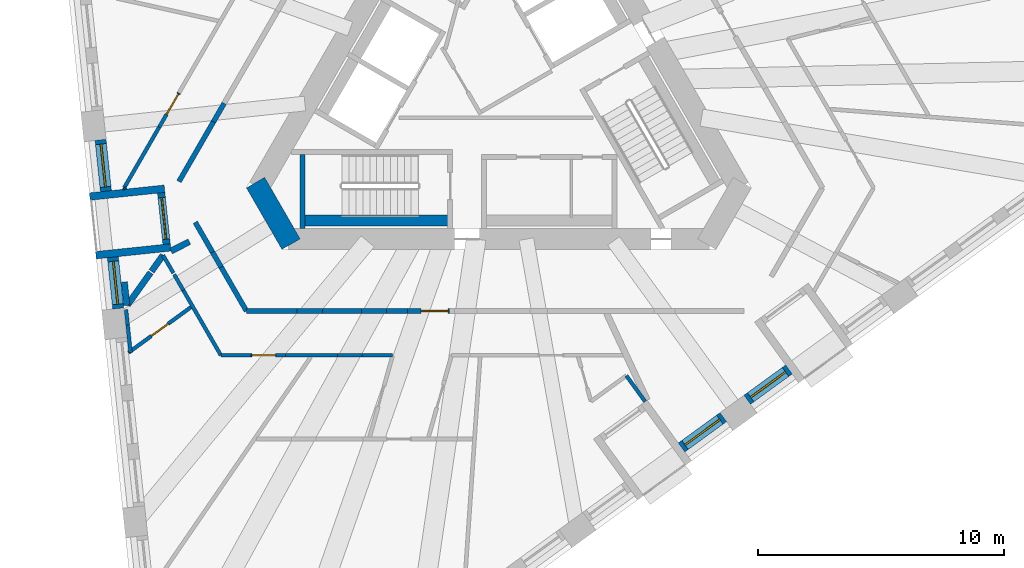
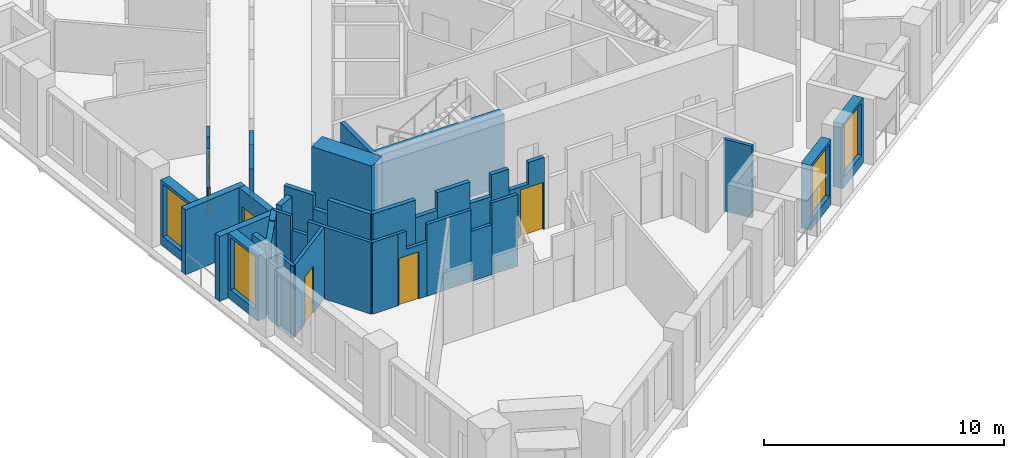
# One storey, part 3 of 14: 40 walls, 5 doors, 4 windows, 9 openings.
"""IFC4 building model written with IfcOpenShell, lengths in metres."""

from ifc_helpers import new_model, si_unit, direction, frame, frame_2d, origin, place, context, subcontext, project, spatial, polyline, rectangle, outline, extrude, material, layer, layer_set, type_object, element, fill, save


model = new_model("IFC4")

# Units and contexts
model_context = context("Model", 3, precision=1e-05, world=origin(), true_north=direction((0.0, 1.0)))
body_context = subcontext(model_context, "Body", "Model", "MODEL_VIEW")
ifc_project = project(units=[si_unit("LENGTHUNIT", "METRE"), si_unit("AREAUNIT", "SQUARE_METRE"), si_unit("VOLUMEUNIT", "CUBIC_METRE"), si_unit("PLANEANGLEUNIT", "RADIAN"), si_unit("MASSUNIT", "GRAM", prefix="KILO")], contexts=[model_context])

# Site, building, storey
site_placement = place(None, origin())
site = spatial("IfcSite", under=ifc_project, at=site_placement, CompositionType="ELEMENT")
building_placement = place(site_placement, origin())
building = spatial("IfcBuilding", under=site, at=building_placement, Name="Tramontana Tower", CompositionType="ELEMENT")
storey_placement = place(building_placement, frame((0.0, 0.0, 182.800048828125)))
storey = spatial("IfcBuildingStorey", under=building, at=storey_placement, Name="L42", CompositionType="ELEMENT", Elevation=182.800048828125)

# Wall
ifc_material_1 = material(Name="Concrete 70 MPa", Category="concrete")
ifc_layer_1 = layer(ifc_material_1, 0.85009765625)
ifc_layer_set_1 = layer_set([ifc_layer_1], Name="Core wall 850 70 MPa")
wall_type_1 = type_object("IfcWallType", Name="Core wall 850 70 MPa", PredefinedType="SHEAR", material=ifc_layer_set_1)
wall_1_placement = place(storey_placement, frame((-9.8798828125, -4.03759765625, 0.0), z_axis=(0.0, 0.0, 1.0), x_axis=(0.499995765644, -0.866027848477, 0.0)))
element("IfcWall", 1, at=wall_1_placement, inside=storey, type_object=wall_type_1, Name="Core wall C2 L42", PredefinedType="SHEAR", context=body_context, shape_type="SweptSolid", body=[
    extrude(rectangle(XDim=2.88671875, YDim=0.85009765625, at=frame_2d((1.443359375, 0.0))), origin(), (0.0, 0.0, 1.0), 4.0),
])

# Wall, opening, door
ifc_material_2 = material(Name="Blockwork", Category="masonry")
ifc_layer_2 = layer(ifc_material_2, 0.199951171875)
ifc_layer_set_2 = layer_set([ifc_layer_2], Name="ENTRY WALL 200")
wall_type_2 = type_object("IfcWallType", Name="ENTRY WALL 200", PredefinedType="SOLIDWALL", material=ifc_layer_set_2)
wall_2_placement = place(storey_placement, frame((-2.009033203125, -9.25, 0.0), z_axis=(0.0, 0.0, 1.0), x_axis=(-1.0, 0.0, 0.0)))
wall_2 = element("IfcWall", 2, at=wall_2_placement, inside=storey, type_object=wall_type_2, Name="Wall v41-ew2-7", PredefinedType="SOLIDWALL", context=body_context, shape_type="SweptSolid", body=[
    extrude(outline(polyline([(0.0, 0.0), (1.7041015625, 0.0), (1.7041015625, 2.550048828125), (0.750732421875, 2.550048828125), (0.750732421875, 3.64990234375), (0.0, 3.64990234375), (0.0, 0.0)])), frame((0.0, 0.10009765625, 0.0), z_axis=(0.0, -1.0, 0.0), x_axis=(1.0, 0.0, 0.0)), (0.0, 0.0, 1.0), 0.199951171875),
])
opening_1_placement = place(wall_2_placement, frame((0.050048828125, 0.0, 0.0)))
opening_1 = element("IfcOpeningElement", 3, at=opening_1_placement, cuts=wall_2, Name="Opening B4B-25", PredefinedType="OPENING", context=body_context, shape_type="SweptSolid", body=[
    extrude(rectangle(XDim=1.10009765625, YDim=2.39990234375, at=frame_2d((0.550048828125, 1.199951171875))), frame((0.0, 0.10986328125, 0.0), z_axis=(0.0, -1.0, 0.0), x_axis=(1.0, 0.0, 0.0)), (0.0, 0.0, 1.0), 0.219970703125),
])
ifc_material_3 = material(Name="Painted timber", Category="wood")
door_type_1 = type_object("IfcDoorType", Name="DOOR ENTRY 1100", OperationType="SINGLE_SWING_LEFT", PredefinedType="DOOR", material=ifc_material_3)
door_1_placement = place(opening_1_placement, origin())
door_1 = element("IfcDoor", 4, at=door_1_placement, inside=storey, type_object=door_type_1, Name="Door B4B-25", OperationType="SINGLE_SWING_LEFT", OverallHeight=2.39990234375, OverallWidth=1.10009765625, PredefinedType="DOOR", context=body_context, shape_type="SweptSolid", body=[
    extrude(rectangle(XDim=1.10009765625, YDim=2.39990234375, at=frame_2d((0.550048828125, 1.199951171875))), frame((0.0, 0.02490234375, 0.0), z_axis=(0.0, -1.0, 0.0), x_axis=(1.0, 0.0, 0.0)), (0.0, 0.0, 1.0), 0.050048828125),
])
fill(opening_1, door_1)

# Walls
wall_3_placement = place(storey_placement, frame((-3.713134765625, -9.25, 0.0), z_axis=(0.0, 0.0, 1.0), x_axis=(-1.0, 0.0, 0.0)))
element("IfcWall", 5, at=wall_3_placement, inside=storey, type_object=wall_type_2, Name="Wall v41-ew2-8", PredefinedType="SOLIDWALL", context=body_context, shape_type="SweptSolid", body=[
    extrude(rectangle(XDim=0.84130859375, YDim=0.199951171875, at=frame_2d((0.420654296875, 0.0))), origin(), (0.0, 0.0, 1.0), 3.64990234375),
])
wall_4_placement = place(storey_placement, frame((-4.554443359375, -9.25, 0.0), z_axis=(0.0, 0.0, 1.0), x_axis=(-1.0, 0.0, 0.0)))
element("IfcWall", 6, at=wall_4_placement, inside=storey, type_object=wall_type_2, Name="Wall v41-ew2-9", PredefinedType="SOLIDWALL", context=body_context, shape_type="SweptSolid", body=[
    extrude(rectangle(XDim=1.026123046875, YDim=0.199951171875, at=frame_2d((0.51318359375, 0.0))), origin(), (0.0, 0.0, 1.0), 2.550048828125),
])
wall_5_placement = place(storey_placement, frame((-5.58056640625, -9.25, 0.0), z_axis=(0.0, 0.0, 1.0), x_axis=(-1.0, 0.0, 0.0)))
element("IfcWall", 7, at=wall_5_placement, inside=storey, type_object=wall_type_2, Name="Wall v41-ew2-10", PredefinedType="SOLIDWALL", context=body_context, shape_type="SweptSolid", body=[
    extrude(rectangle(XDim=1.57177734375, YDim=0.199951171875, at=frame_2d((0.785888671875, 0.0))), origin(), (0.0, 0.0, 1.0), 3.64990234375),
])
wall_6_placement = place(storey_placement, frame((-7.15234375, -9.25, 0.0), z_axis=(0.0, 0.0, 1.0), x_axis=(-1.0, 0.0, 0.0)))
element("IfcWall", 8, at=wall_6_placement, inside=storey, type_object=wall_type_2, Name="Wall v41-ew2-11", PredefinedType="SOLIDWALL", context=body_context, shape_type="SweptSolid", body=[
    extrude(rectangle(XDim=1.039306640625, YDim=0.199951171875, at=frame_2d((0.51953125, 0.0))), origin(), (0.0, 0.0, 1.0), 2.75),
])
wall_7_placement = place(storey_placement, frame((-8.191650390625, -9.25, 0.0), z_axis=(0.0, 0.0, 1.0), x_axis=(-1.0, 0.0, 0.0)))
element("IfcWall", 9, at=wall_7_placement, inside=storey, type_object=wall_type_2, Name="Wall v41-ew2-12", PredefinedType="SOLIDWALL", context=body_context, shape_type="SweptSolid", body=[
    extrude(rectangle(XDim=2.056396484375, YDim=0.199951171875, at=frame_2d((1.0283203125, 0.0))), origin(), (0.0, 0.0, 1.0), 3.64990234375),
])
wall_8_placement = place(storey_placement, frame((-10.248046875, -9.25, 0.0), z_axis=(0.0, 0.0, 1.0), x_axis=(-0.499941542975, 0.866059151333, 0.0)))
element("IfcWall", 10, at=wall_8_placement, inside=storey, type_object=wall_type_2, Name="Wall v41-ew3-0", PredefinedType="SOLIDWALL", context=body_context, shape_type="SweptSolid", body=[
    extrude(rectangle(XDim=2.057861328125, YDim=0.199951171875, at=frame_2d((1.02880859375, 0.0))), origin(), (0.0, 0.0, 1.0), 3.64990234375),
])
wall_9_placement = place(storey_placement, frame((-11.27685546875, -7.4677734375, 0.0), z_axis=(0.0, 0.0, 1.0), x_axis=(-0.50022532796, 0.865895271535, 0.0)))
element("IfcWall", 11, at=wall_9_placement, inside=storey, type_object=wall_type_2, Name="Wall v41-ew3-1", PredefinedType="SOLIDWALL", context=body_context, shape_type="SweptSolid", body=[
    extrude(rectangle(XDim=0.700439453125, YDim=0.199951171875, at=frame_2d((0.35009765625, 0.0))), origin(), (0.0, 0.0, 1.0), 2.949951171875),
])
wall_10_placement = place(storey_placement, frame((-11.627197265625, -6.861328125, 0.0), z_axis=(0.0, 0.0, 1.0), x_axis=(-0.49998411664, 0.866034573852, 0.0)))
element("IfcWall", 12, at=wall_10_placement, inside=storey, type_object=wall_type_2, Name="Wall v41-ew3-2", PredefinedType="SOLIDWALL", context=body_context, shape_type="SweptSolid", body=[
    extrude(rectangle(XDim=1.39990234375, YDim=0.199951171875, at=frame_2d((0.699951171875, 0.0))), origin(), (0.0, 0.0, 1.0), 3.64990234375),
])
wall_11_placement = place(storey_placement, frame((-12.986572265625, -3.993408203125, 0.0), z_axis=(0.0, 0.0, 1.0), x_axis=(0.499976698542, 0.86603885647, 0.0)))
element("IfcWall", 13, at=wall_11_placement, inside=storey, type_object=wall_type_2, Name="Wall v41-ew4-0", PredefinedType="SOLIDWALL", context=body_context, shape_type="SweptSolid", body=[
    extrude(rectangle(XDim=2.798583984375, YDim=0.199951171875, at=frame_2d((1.3994140625, 0.0))), origin(), (0.0, 0.0, 1.0), 3.64990234375),
])
wall_12_placement = place(storey_placement, frame((-11.58740234375, -1.56982421875, 0.0), z_axis=(0.0, 0.0, 1.0), x_axis=(0.500023708017, 0.866011715522, 0.0)))
element("IfcWall", 14, at=wall_12_placement, inside=storey, type_object=wall_type_2, Name="Wall v41-ew4-1", PredefinedType="SOLIDWALL", context=body_context, shape_type="SweptSolid", body=[
    extrude(rectangle(XDim=0.865234375, YDim=0.199951171875, at=frame_2d((0.4326171875, 0.0))), origin(), (0.0, 0.0, 1.0), 2.949951171875),
])

# Wall, opening, window
ifc_material_4 = material(Name="Precast concrete 60 MPa", Category="concrete")
ifc_layer_3 = layer(ifc_material_4, 0.449951171875)
ifc_layer_set_3 = layer_set([ifc_layer_3], Name="Precast concrete 60 MPa, 450 mm")
wall_type_3 = type_object("IfcWallType", Name="EW1 Stone-faced precast wall 450", PredefinedType="SOLIDWALL", material=ifc_layer_set_3)
wall_13_placement = place(storey_placement, frame((-16.1728515625, -2.30322265625, 0.0), z_axis=(0.0, 0.0, 1.0), x_axis=(0.104569484464, -0.994517583011, 0.0)))
wall_13 = element("IfcWall", 15, at=wall_13_placement, inside=storey, type_object=wall_type_3, Name="External wall L42 face 0 bay 4", PredefinedType="SOLIDWALL", context=body_context, shape_type="SweptSolid", body=[
    extrude(rectangle(XDim=2.09423828125, YDim=0.449951171875, at=frame_2d((1.047119140625, 0.0))), origin(), (0.0, 0.0, 1.0), 3.300048828125),
])
opening_2_placement = place(wall_13_placement, frame((0.172119140625, 0.0, 0.5)))
opening_2 = element("IfcOpeningElement", 16, at=opening_2_placement, cuts=wall_13, Name="Opening M2", PredefinedType="OPENING", context=body_context, shape_type="SweptSolid", body=[
    extrude(rectangle(XDim=1.75, YDim=2.64990234375, at=frame_2d((0.875, 1.324951171875))), frame((0.0, 0.23486328125, 0.0), z_axis=(0.0, -1.0, 0.0), x_axis=(1.0, 0.0, 0.0)), (0.0, 0.0, 1.0), 0.469970703125),
])
ifc_material_5 = material(Name="Aluminum frame, double glazing unit", Category="aluminium")
window_type = type_object("IfcWindowType", Name="M2 Window 1.75 x 2.65", PartitioningType="SINGLE_PANEL", PredefinedType="WINDOW", material=ifc_material_5)
window_1_placement = place(opening_2_placement, origin())
window_1 = element("IfcWindow", 17, at=window_1_placement, inside=storey, type_object=window_type, Name="Window M2 L42 face 0 module 10", OverallHeight=2.64990234375, OverallWidth=1.75, PartitioningType="SINGLE_PANEL", PredefinedType="WINDOW", context=body_context, shape_type="SweptSolid", body=[
    extrude(rectangle(XDim=1.75, YDim=2.64990234375, at=frame_2d((0.875, 1.324951171875))), frame((0.0, 0.030029296875, 0.0), z_axis=(0.0, -1.0, 0.0), x_axis=(1.0, 0.0, 0.0)), (0.0, 0.0, 1.0), 0.06005859375),
])
fill(opening_2, window_1)

wall_14_placement = place(storey_placement, frame((-15.67236328125, -7.0654296875, 0.0), z_axis=(0.0, 0.0, 1.0), x_axis=(0.104557362307, -0.994518857532, 0.0)))
wall_14 = element("IfcWall", 18, at=wall_14_placement, inside=storey, type_object=wall_type_3, Name="External wall L42 face 0 bay 4", PredefinedType="SOLIDWALL", context=body_context, shape_type="SweptSolid", body=[
    extrude(rectangle(XDim=2.094482421875, YDim=0.449951171875, at=frame_2d((1.04736328125, 0.0))), origin(), (0.0, 0.0, 1.0), 3.300048828125),
])
opening_3_placement = place(wall_14_placement, frame((0.172119140625, 0.0, 0.5)))
opening_3 = element("IfcOpeningElement", 19, at=opening_3_placement, cuts=wall_14, Name="Opening M2", PredefinedType="OPENING", context=body_context, shape_type="SweptSolid", body=[
    extrude(rectangle(XDim=1.75, YDim=2.64990234375, at=frame_2d((0.875, 1.324951171875))), frame((0.0, 0.23486328125, 0.0), z_axis=(0.0, -1.0, 0.0), x_axis=(1.0, 0.0, 0.0)), (0.0, 0.0, 1.0), 0.469970703125),
])
window_2_placement = place(opening_3_placement, origin())
window_2 = element("IfcWindow", 20, at=window_2_placement, inside=storey, type_object=window_type, Name="Window M2 L42 face 0 module 12", OverallHeight=2.64990234375, OverallWidth=1.75, PartitioningType="SINGLE_PANEL", PredefinedType="WINDOW", context=body_context, shape_type="SweptSolid", body=[
    extrude(rectangle(XDim=1.75, YDim=2.64990234375, at=frame_2d((0.875, 1.324951171875))), frame((0.0, 0.030029296875, 0.0), z_axis=(0.0, -1.0, 0.0), x_axis=(1.0, 0.0, 0.0)), (0.0, 0.0, 1.0), 0.06005859375),
])
fill(opening_3, window_2)

wall_15_placement = place(storey_placement, frame((7.415771484375, -14.790771484375, 0.0), z_axis=(0.0, 0.0, 1.0), x_axis=(0.809028366311, 0.587769599847, 0.0)))
wall_15 = element("IfcWall", 21, at=wall_15_placement, inside=storey, type_object=wall_type_3, Name="External wall L42 face 1 bay 3", PredefinedType="SOLIDWALL", context=body_context, shape_type="SweptSolid", body=[
    extrude(rectangle(XDim=2.09423828125, YDim=0.449951171875, at=frame_2d((1.047119140625, 0.0))), origin(), (0.0, 0.0, 1.0), 3.300048828125),
])
opening_4_placement = place(wall_15_placement, frame((0.172119140625, 0.0, 0.5)))
opening_4 = element("IfcOpeningElement", 22, at=opening_4_placement, cuts=wall_15, Name="Opening M2", PredefinedType="OPENING", context=body_context, shape_type="SweptSolid", body=[
    extrude(rectangle(XDim=1.75, YDim=2.64990234375, at=frame_2d((0.875, 1.324951171875))), frame((0.0, 0.23486328125, 0.0), z_axis=(0.0, -1.0, 0.0), x_axis=(1.0, 0.0, 0.0)), (0.0, 0.0, 1.0), 0.469970703125),
])
window_3_placement = place(opening_4_placement, origin())
window_3 = element("IfcWindow", 23, at=window_3_placement, inside=storey, type_object=window_type, Name="Window M2 L42 face 1 module 9", OverallHeight=2.64990234375, OverallWidth=1.75, PartitioningType="SINGLE_PANEL", PredefinedType="WINDOW", context=body_context, shape_type="SweptSolid", body=[
    extrude(rectangle(XDim=1.75, YDim=2.64990234375, at=frame_2d((0.875, 1.324951171875))), frame((0.0, 0.030029296875, 0.0), z_axis=(0.0, -1.0, 0.0), x_axis=(1.0, 0.0, 0.0)), (0.0, 0.0, 1.0), 0.06005859375),
])
fill(opening_4, window_3)

wall_16_placement = place(storey_placement, frame((10.0810546875, -12.8544921875, 0.0), z_axis=(0.0, 0.0, 1.0), x_axis=(0.809028366311, 0.587769599847, 0.0)))
wall_16 = element("IfcWall", 24, at=wall_16_placement, inside=storey, type_object=wall_type_3, Name="External wall L42 face 1 bay 4", PredefinedType="SOLIDWALL", context=body_context, shape_type="SweptSolid", body=[
    extrude(rectangle(XDim=2.09423828125, YDim=0.449951171875, at=frame_2d((1.047119140625, 0.0))), origin(), (0.0, 0.0, 1.0), 3.300048828125),
])
opening_5_placement = place(wall_16_placement, frame((0.172119140625, 0.0, 0.5)))
opening_5 = element("IfcOpeningElement", 25, at=opening_5_placement, cuts=wall_16, Name="Opening M2", PredefinedType="OPENING", context=body_context, shape_type="SweptSolid", body=[
    extrude(rectangle(XDim=1.75, YDim=2.64990234375, at=frame_2d((0.875, 1.324951171875))), frame((0.0, 0.23486328125, 0.0), z_axis=(0.0, -1.0, 0.0), x_axis=(1.0, 0.0, 0.0)), (0.0, 0.0, 1.0), 0.469970703125),
])
window_4_placement = place(opening_5_placement, origin())
window_4 = element("IfcWindow", 26, at=window_4_placement, inside=storey, type_object=window_type, Name="Window M2 L42 face 1 module 10", OverallHeight=2.64990234375, OverallWidth=1.75, PartitioningType="SINGLE_PANEL", PredefinedType="WINDOW", context=body_context, shape_type="SweptSolid", body=[
    extrude(rectangle(XDim=1.75, YDim=2.64990234375, at=frame_2d((0.875, 1.324951171875))), frame((0.0, 0.030029296875, 0.0), z_axis=(0.0, -1.0, 0.0), x_axis=(1.0, 0.0, 0.0)), (0.0, 0.0, 1.0), 0.06005859375),
])
fill(opening_5, window_4)

# Wall, opening, door
ifc_material_6 = material(Name="Precast concrete 60 MPa", Category="concrete")
ifc_layer_4 = layer(ifc_material_6, 0.300048828125)
ifc_layer_set_4 = layer_set([ifc_layer_4], Name="LW1 Stone-faced loggia wall 300")
wall_type_4 = type_object("IfcWallType", Name="LW1 Stone-faced loggia wall 300", PredefinedType="SOLIDWALL", material=ifc_layer_set_4)
wall_17_placement = place(storey_placement, frame((-13.709716796875, -4.45166015625, 0.0), z_axis=(0.0, 0.0, 1.0), x_axis=(0.104442071108, -0.994530971756, 0.0)))
wall_17 = element("IfcWall", 27, at=wall_17_placement, inside=storey, type_object=wall_type_4, Name="Loggia wall L42 G4S0.10", PredefinedType="SOLIDWALL", context=body_context, shape_type="SweptSolid", body=[
    extrude(rectangle(XDim=2.094482421875, YDim=0.300048828125, at=frame_2d((1.04736328125, 0.0))), origin(), (0.0, 0.0, 1.0), 3.300048828125),
])
opening_6_placement = place(wall_17_placement, frame((0.197265625, 0.0, 0.0)))
opening_6 = element("IfcOpeningElement", 28, at=opening_6_placement, cuts=wall_17, Name="Opening BD-4S0-10", PredefinedType="OPENING", context=body_context, shape_type="SweptSolid", body=[
    extrude(rectangle(XDim=1.699951171875, YDim=2.449951171875, at=frame_2d((0.85009765625, 1.22509765625))), frame((0.0, 0.159912109375, 0.0), z_axis=(0.0, -1.0, 0.0), x_axis=(1.0, 0.0, 0.0)), (0.0, 0.0, 1.0), 0.320068359375),
])
ifc_material_7 = material(Name="Aluminum frame, double glazing unit", Category="aluminium")
door_type_2 = type_object("IfcDoorType", Name="BD2 Sliding door 1.7 x 2.45", OperationType="SLIDING_TO_LEFT", PredefinedType="DOOR", material=ifc_material_7)
door_2_placement = place(opening_6_placement, origin())
door_2 = element("IfcDoor", 29, at=door_2_placement, inside=storey, type_object=door_type_2, Name="Loggia door L42 G4S0.10", OperationType="SLIDING_TO_LEFT", OverallHeight=2.449951171875, OverallWidth=1.699951171875, PredefinedType="DOOR", context=body_context, shape_type="SweptSolid", body=[
    extrude(rectangle(XDim=1.699951171875, YDim=2.449951171875, at=frame_2d((0.85009765625, 1.22509765625))), frame((0.0, 0.02490234375, 0.0), z_axis=(0.0, -1.0, 0.0), x_axis=(1.0, 0.0, 0.0)), (0.0, 0.0, 1.0), 0.050048828125),
])
fill(opening_6, door_2)

# Walls
for number, where, z_axis, x_axis, name in (
    (30, (-16.609619140625, -4.605712890625, 0.0), (0.0, 0.0, 1.0), (0.994521230707, 0.104534786906, 0.0), "Loggia return L42 G4S0.10a"),
    (31, (-16.359375, -6.98681640625, 0.0), (0.0, 0.0, 1.0), (0.994521230707, 0.104534786906, 0.0), "Loggia return L42 G4S0.10b"),
):
    element("IfcWall", number, at=place(storey_placement, frame(where, z_axis=z_axis, x_axis=x_axis)), inside=storey, type_object=wall_type_4, Name=name, PredefinedType="SOLIDWALL", context=body_context, shape_type="SweptSolid", body=[
        extrude(rectangle(XDim=3.050048828125, YDim=0.300048828125, at=frame_2d((1.52490234375, 0.0))), origin(), (0.0, 0.0, 1.0), 3.300048828125),
    ])
ifc_material_8 = material(Name="Gypsum board partition")
ifc_layer_5 = layer(ifc_material_8, 0.14990234375)
ifc_layer_set_5 = layer_set([ifc_layer_5], Name="PARTITION 150")
wall_type_5 = type_object("IfcWallType", Name="PARTITION 150", PredefinedType="PARTITIONING", material=ifc_layer_set_5)
wall_18_placement = place(storey_placement, frame((-15.213134765625, -4.25, 0.0), z_axis=(0.0, 0.0, 1.0), x_axis=(0.50001992892, 0.866013897511, 0.0)))
element("IfcWall", 32, at=wall_18_placement, inside=storey, type_object=wall_type_5, Name="Wall v41-pw02-0", PredefinedType="PARTITIONING", context=body_context, shape_type="SweptSolid", body=[
    extrude(rectangle(XDim=2.841796875, YDim=0.14990234375, at=frame_2d((1.4208984375, 0.0))), origin(), (0.0, 0.0, 1.0), 3.64990234375),
])

# Wall, opening, door
wall_19_placement = place(storey_placement, frame((-13.792236328125, -1.7890625, 0.0), z_axis=(0.0, 0.0, 1.0), x_axis=(0.500011789842, 0.866018596809, 0.0)))
wall_19 = element("IfcWall", 33, at=wall_19_placement, inside=storey, type_object=wall_type_5, Name="Wall v41-pw02-1", PredefinedType="PARTITIONING", context=body_context, shape_type="SweptSolid", body=[
    extrude(outline(polyline([(0.0, 0.0), (1.60693359375, 0.0), (1.60693359375, 3.64990234375), (0.834228515625, 3.64990234375), (0.834228515625, 2.949951171875), (0.0, 2.949951171875), (0.0, 0.0)])), frame((0.0, 0.074951171875, 0.0), z_axis=(0.0, -1.0, 0.0), x_axis=(1.0, 0.0, 0.0)), (0.0, 0.0, 1.0), 0.14990234375),
])
opening_7_placement = place(wall_19_placement, frame((0.60693359375, 0.0, 0.0)))
opening_7 = element("IfcOpeningElement", 34, at=opening_7_placement, cuts=wall_19, Name="Opening B4B-05", PredefinedType="OPENING", context=body_context, shape_type="SweptSolid", body=[
    extrude(rectangle(XDim=0.949951171875, YDim=2.39990234375, at=frame_2d((0.47509765625, 1.199951171875))), frame((0.0, 0.0849609375, 0.0), z_axis=(0.0, -1.0, 0.0), x_axis=(1.0, 0.0, 0.0)), (0.0, 0.0, 1.0), 0.169921875),
])
ifc_material_9 = material(Name="Painted timber", Category="wood")
door_type_3 = type_object("IfcDoorType", Name="DOOR ROOM 950", OperationType="SINGLE_SWING_LEFT", PredefinedType="DOOR", material=ifc_material_9)
door_3_placement = place(opening_7_placement, origin())
door_3 = element("IfcDoor", 35, at=door_3_placement, inside=storey, type_object=door_type_3, Name="Door B4B-05", OperationType="SINGLE_SWING_LEFT", OverallHeight=2.39990234375, OverallWidth=0.949951171875, PredefinedType="DOOR", context=body_context, shape_type="SweptSolid", body=[
    extrude(rectangle(XDim=0.949951171875, YDim=2.39990234375, at=frame_2d((0.47509765625, 1.199951171875))), frame((0.0, 0.02490234375, 0.0), z_axis=(0.0, -1.0, 0.0), x_axis=(1.0, 0.0, 0.0)), (0.0, 0.0, 1.0), 0.050048828125),
])
fill(opening_7, door_3)

# Walls
wall_20_placement = place(storey_placement, frame((-15.181640625, -4.3046875, 0.0), z_axis=(0.0, 0.0, 1.0), x_axis=(-0.499052486836, 0.866571760088, 0.0)))
element("IfcWall", 36, at=wall_20_placement, inside=storey, type_object=wall_type_5, Name="Wall v41-pw03", PredefinedType="PARTITIONING", context=body_context, shape_type="SweptSolid", body=[
    extrude(rectangle(XDim=0.06298828125, YDim=0.14990234375, at=frame_2d((0.031494140625, 0.0))), origin(), (0.0, 0.0, 1.0), 3.64990234375),
])
wall_21_placement = place(storey_placement, frame((-14.9541015625, -10.9326171875, 0.0), z_axis=(0.0, 0.0, 1.0), x_axis=(-0.104479119457, 0.994527080374, 0.0)))
element("IfcWall", 37, at=wall_21_placement, inside=storey, type_object=wall_type_5, Name="Wall v41-pw05-0", PredefinedType="PARTITIONING", context=body_context, shape_type="SweptSolid", body=[
    extrude(rectangle(XDim=1.1123046875, YDim=0.14990234375, at=frame_2d((0.55615234375, 0.0))), origin(), (0.0, 0.0, 1.0), 3.64990234375),
])
wall_22_placement = place(storey_placement, frame((-15.0703125, -9.826416015625, 0.0), z_axis=(0.0, 0.0, 1.0), x_axis=(-0.104785422056, 0.994494854348, 0.0)))
element("IfcWall", 38, at=wall_22_placement, inside=storey, type_object=wall_type_5, Name="Wall v41-pw05-1", PredefinedType="PARTITIONING", context=body_context, shape_type="SweptSolid", body=[
    extrude(rectangle(XDim=0.63134765625, YDim=0.14990234375, at=frame_2d((0.315673828125, 0.0))), origin(), (0.0, 0.0, 1.0), 2.949951171875),
])
wall_23_placement = place(storey_placement, frame((-13.634033203125, -6.985107421875, 0.0), z_axis=(0.0, 0.0, 1.0), x_axis=(0.500009480079, -0.866019930389, 0.0)))
element("IfcWall", 39, at=wall_23_placement, inside=storey, type_object=wall_type_5, Name="Wall v41-pw12", PredefinedType="PARTITIONING", context=body_context, shape_type="SweptSolid", body=[
    extrude(rectangle(XDim=0.83447265625, YDim=0.14990234375, at=frame_2d((0.417236328125, 0.0))), origin(), (0.0, 0.0, 1.0), 3.64990234375),
])

# Wall, opening, door
wall_24_placement = place(storey_placement, frame((-15.03857421875, -10.94140625, 0.0), z_axis=(0.0, 0.0, 1.0), x_axis=(0.808638471979, 0.588305891212, 0.0)))
wall_24 = element("IfcWall", 40, at=wall_24_placement, inside=storey, type_object=wall_type_5, Name="Wall v41-pw14", PredefinedType="PARTITIONING", context=body_context, shape_type="SweptSolid", body=[
    extrude(rectangle(XDim=3.136962890625, YDim=0.14990234375, at=frame_2d((1.568359375, 0.0))), origin(), (0.0, 0.0, 1.0), 3.64990234375),
])
opening_8_placement = place(wall_24_placement, frame((1.1435546875, 0.0, 0.0)))
opening_8 = element("IfcOpeningElement", 41, at=opening_8_placement, cuts=wall_24, Name="Opening B4B-13", PredefinedType="OPENING", context=body_context, shape_type="SweptSolid", body=[
    extrude(rectangle(XDim=0.85009765625, YDim=2.39990234375, at=frame_2d((0.425048828125, 1.199951171875))), frame((0.0, 0.0849609375, 0.0), z_axis=(0.0, -1.0, 0.0), x_axis=(1.0, 0.0, 0.0)), (0.0, 0.0, 1.0), 0.169921875),
])
ifc_material_10 = material(Name="Painted timber", Category="wood")
door_type_4 = type_object("IfcDoorType", Name="DOOR BATH 850", OperationType="SINGLE_SWING_LEFT", PredefinedType="DOOR", material=ifc_material_10)
door_4_placement = place(opening_8_placement, origin())
door_4 = element("IfcDoor", 42, at=door_4_placement, inside=storey, type_object=door_type_4, Name="Door B4B-13", OperationType="SINGLE_SWING_LEFT", OverallHeight=2.39990234375, OverallWidth=0.85009765625, PredefinedType="DOOR", context=body_context, shape_type="SweptSolid", body=[
    extrude(rectangle(XDim=0.85009765625, YDim=2.39990234375, at=frame_2d((0.425048828125, 1.199951171875))), frame((0.0, 0.02490234375, 0.0), z_axis=(0.0, -1.0, 0.0), x_axis=(1.0, 0.0, 0.0)), (0.0, 0.0, 1.0), 0.050048828125),
])
fill(opening_8, door_4)

# Walls
wall_25_placement = place(storey_placement, frame((-11.287109375, -11.050048828125, 0.0), z_axis=(0.0, 0.0, 1.0), x_axis=(-0.500018497585, 0.866014723935, 0.0)))
element("IfcWall", 43, at=wall_25_placement, inside=storey, type_object=wall_type_5, Name="Wall v41-pw17-0", PredefinedType="PARTITIONING", context=body_context, shape_type="SweptSolid", body=[
    extrude(rectangle(XDim=3.0458984375, YDim=0.14990234375, at=frame_2d((1.52294921875, 0.0))), origin(), (0.0, 0.0, 1.0), 3.64990234375),
])
wall_26_placement = place(storey_placement, frame((-12.81005859375, -8.412353515625, 0.0), z_axis=(0.0, 0.0, 1.0), x_axis=(-0.499987686533, 0.866032512851, 0.0)))
element("IfcWall", 44, at=wall_26_placement, inside=storey, type_object=wall_type_5, Name="Wall v41-pw17-1", PredefinedType="PARTITIONING", context=body_context, shape_type="SweptSolid", body=[
    extrude(rectangle(XDim=0.74365234375, YDim=0.14990234375, at=frame_2d((0.371826171875, 0.0))), origin(), (0.0, 0.0, 1.0), 2.949951171875),
])
wall_27_placement = place(storey_placement, frame((-4.3115234375, -11.050048828125, 0.0), z_axis=(0.0, 0.0, 1.0), x_axis=(-1.0, 0.0, 0.0)))
element("IfcWall", 45, at=wall_27_placement, inside=storey, type_object=wall_type_5, Name="Wall v41-pw22-0", PredefinedType="PARTITIONING", context=body_context, shape_type="SweptSolid", body=[
    extrude(rectangle(XDim=1.2431640625, YDim=0.14990234375, at=frame_2d((0.62158203125, 0.0))), origin(), (0.0, 0.0, 1.0), 3.64990234375),
])
wall_28_placement = place(storey_placement, frame((-5.5546875, -11.050048828125, 0.0), z_axis=(0.0, 0.0, 1.0), x_axis=(-1.0, 0.0, 0.0)))
element("IfcWall", 46, at=wall_28_placement, inside=storey, type_object=wall_type_5, Name="Wall v41-pw22-1", PredefinedType="PARTITIONING", context=body_context, shape_type="SweptSolid", body=[
    extrude(rectangle(XDim=0.997802734375, YDim=0.14990234375, at=frame_2d((0.4990234375, 0.0))), origin(), (0.0, 0.0, 1.0), 2.550048828125),
])
wall_29_placement = place(storey_placement, frame((-6.552490234375, -11.050048828125, 0.0), z_axis=(0.0, 0.0, 1.0), x_axis=(-1.0, 0.0, 0.0)))
element("IfcWall", 47, at=wall_29_placement, inside=storey, type_object=wall_type_5, Name="Wall v41-pw22-2", PredefinedType="PARTITIONING", context=body_context, shape_type="SweptSolid", body=[
    extrude(rectangle(XDim=2.109130859375, YDim=0.14990234375, at=frame_2d((1.0546875, 0.0))), origin(), (0.0, 0.0, 1.0), 3.64990234375),
])

# Wall, opening, door
wall_30_placement = place(storey_placement, frame((-8.66162109375, -11.050048828125, 0.0), z_axis=(0.0, 0.0, 1.0), x_axis=(-1.0, 0.0, 0.0)))
wall_30 = element("IfcWall", 48, at=wall_30_placement, inside=storey, type_object=wall_type_5, Name="Wall v41-pw22-3", PredefinedType="PARTITIONING", context=body_context, shape_type="SweptSolid", body=[
    extrude(outline(polyline([(0.0, 0.0), (1.403564453125, 0.0), (1.403564453125, 3.64990234375), (1.0068359375, 3.64990234375), (1.0068359375, 2.75), (0.0, 2.75), (0.0, 0.0)])), frame((0.0, 0.074951171875, 0.0), z_axis=(0.0, -1.0, 0.0), x_axis=(1.0, 0.0, 0.0)), (0.0, 0.0, 1.0), 0.14990234375),
])
opening_9_placement = place(wall_30_placement, frame((0.403564453125, 0.0, 0.0)))
opening_9 = element("IfcOpeningElement", 49, at=opening_9_placement, cuts=wall_30, Name="Opening B4B-11", PredefinedType="OPENING", context=body_context, shape_type="SweptSolid", body=[
    extrude(rectangle(XDim=0.949951171875, YDim=2.39990234375, at=frame_2d((0.47509765625, 1.199951171875))), frame((0.0, 0.0849609375, 0.0), z_axis=(0.0, -1.0, 0.0), x_axis=(1.0, 0.0, 0.0)), (0.0, 0.0, 1.0), 0.169921875),
])
door_5_placement = place(opening_9_placement, origin())
door_5 = element("IfcDoor", 50, at=door_5_placement, inside=storey, type_object=door_type_3, Name="Door B4B-11", OperationType="SINGLE_SWING_LEFT", OverallHeight=2.39990234375, OverallWidth=0.949951171875, PredefinedType="DOOR", context=body_context, shape_type="SweptSolid", body=[
    extrude(rectangle(XDim=0.949951171875, YDim=2.39990234375, at=frame_2d((0.47509765625, 1.199951171875))), frame((0.0, 0.02490234375, 0.0), z_axis=(0.0, -1.0, 0.0), x_axis=(1.0, 0.0, 0.0)), (0.0, 0.0, 1.0), 0.050048828125),
])
fill(opening_9, door_5)

# Walls
wall_31_placement = place(storey_placement, frame((-10.065185546875, -11.050048828125, 0.0), z_axis=(0.0, 0.0, 1.0), x_axis=(-1.0, 0.0, 0.0)))
element("IfcWall", 51, at=wall_31_placement, inside=storey, type_object=wall_type_5, Name="Wall v41-pw22-4", PredefinedType="PARTITIONING", context=body_context, shape_type="SweptSolid", body=[
    extrude(rectangle(XDim=1.221923828125, YDim=0.14990234375, at=frame_2d((0.61083984375, 0.0))), origin(), (0.0, 0.0, 1.0), 3.64990234375),
])
wall_32_placement = place(storey_placement, frame((5.939208984375, -12.927978515625, 0.0), z_axis=(0.0, 0.0, 1.0), x_axis=(-0.58792564669, 0.80891497326, 0.0)))
element("IfcWall", 52, at=wall_32_placement, inside=storey, type_object=wall_type_5, Name="Wall v41-pw37", PredefinedType="PARTITIONING", context=body_context, shape_type="SweptSolid", body=[
    extrude(rectangle(XDim=1.298095703125, YDim=0.14990234375, at=frame_2d((0.64892578125, 0.0))), origin(), (0.0, 0.0, 1.0), 3.64990234375),
])
ifc_material_11 = material(Name="Blockwork", Category="masonry")
ifc_layer_6 = layer(ifc_material_11, 0.25)
ifc_layer_set_6 = layer_set([ifc_layer_6], Name="PARTY WALL 250")
wall_type_6 = type_object("IfcWallType", Name="PARTY WALL 250", PredefinedType="SOLIDWALL", material=ifc_layer_set_6)
wall_33_placement = place(storey_placement, frame((-15.104736328125, -9.02197265625, 0.0), z_axis=(0.0, 0.0, 1.0), x_axis=(-0.104285616795, 0.994547389585, 0.0)))
element("IfcWall", 53, at=wall_33_placement, inside=storey, type_object=wall_type_6, Name="Wall v41-pw04-1", PredefinedType="SOLIDWALL", context=body_context, shape_type="SweptSolid", body=[
    extrude(rectangle(XDim=0.955078125, YDim=0.25, at=frame_2d((0.4775390625, 0.0))), origin(), (0.0, 0.0, 1.0), 3.64990234375),
])
wall_34_placement = place(storey_placement, frame((-14.141357421875, -7.695068359375, 0.0), z_axis=(0.0, 0.0, 1.0), x_axis=(-0.581108947128, -0.813825774701, 0.0)))
element("IfcWall", 54, at=wall_34_placement, inside=storey, type_object=wall_type_6, Name="Wall v41-pw06-0", PredefinedType="SOLIDWALL", context=body_context, shape_type="SweptSolid", body=[
    extrude(rectangle(XDim=1.608154296875, YDim=0.25, at=frame_2d((0.80419921875, 0.0))), origin(), (0.0, 0.0, 1.0), 3.64990234375),
])
wall_35_placement = place(storey_placement, frame((-14.100341796875, -7.63818359375, 0.0), z_axis=(0.0, 0.0, 1.0), x_axis=(0.581094288352, 0.81383624154, 0.0)))
element("IfcWall", 55, at=wall_35_placement, inside=storey, type_object=wall_type_6, Name="Wall v41-pw07", PredefinedType="SOLIDWALL", context=body_context, shape_type="SweptSolid", body=[
    extrude(rectangle(XDim=0.802490234375, YDim=0.25, at=frame_2d((0.4013671875, 0.0))), origin(), (0.0, 0.0, 1.0), 3.64990234375),
])
wall_36_placement = place(storey_placement, frame((-12.5693359375, -6.437744140625, 0.0), z_axis=(0.0, 0.0, 1.0), x_axis=(-0.890104307143, -0.455756867644, 0.0)))
element("IfcWall", 56, at=wall_36_placement, inside=storey, type_object=wall_type_6, Name="Wall v41-pw13", PredefinedType="SOLIDWALL", context=body_context, shape_type="SweptSolid", body=[
    extrude(rectangle(XDim=0.83251953125, YDim=0.25, at=frame_2d((0.416259765625, 0.0))), origin(), (0.0, 0.0, 1.0), 3.64990234375),
])
ifc_material_12 = material(Name="Concrete 70 MPa", Category="concrete")
ifc_layer_7 = layer(ifc_material_12, 0.449951171875)
ifc_layer_set_7 = layer_set([ifc_layer_7], Name="Concrete 70 MPa, 450 mm")
wall_type_7 = type_object("IfcWallType", Name="RC SHAFT BACK WALL 450", PredefinedType="SOLIDWALL", material=ifc_layer_set_7)
wall_37_placement = place(storey_placement, frame((-8.080078125, -5.574951171875, 0.0), z_axis=(0.0, 0.0, 1.0), x_axis=(1.0, 0.0, 0.0)))
element("IfcWall", 57, at=wall_37_placement, inside=storey, type_object=wall_type_7, Name="Wall st2-back", PredefinedType="SOLIDWALL", context=body_context, shape_type="SweptSolid", body=[
    extrude(rectangle(XDim=6.2001953125, YDim=0.449951171875, at=frame_2d((3.10009765625, 0.0))), origin(), (0.0, 0.0, 1.0), 3.64990234375),
])
ifc_material_13 = material(Name="Concrete 70 MPa", Category="concrete")
ifc_layer_8 = layer(ifc_material_13, 0.199951171875)
ifc_layer_set_8 = layer_set([ifc_layer_8], Name="Concrete 70 MPa, 200 mm")
wall_type_8 = type_object("IfcWallType", Name="RC STAIR AND SHAFT WALL 200", PredefinedType="SOLIDWALL", material=ifc_layer_set_8)
wall_38_placement = place(storey_placement, frame((-7.97998046875, -2.89990234375, 0.0), z_axis=(0.0, 0.0, 1.0), x_axis=(0.0, -1.0, 0.0)))
element("IfcWall", 58, at=wall_38_placement, inside=storey, type_object=wall_type_8, Name="Wall st2-far", PredefinedType="SOLIDWALL", context=body_context, shape_type="SweptSolid", body=[
    extrude(rectangle(XDim=3.0, YDim=0.199951171875, at=frame_2d((1.5, 0.0))), origin(), (0.0, 0.0, 1.0), 3.64990234375),
])

save(model, "model.ifc")
